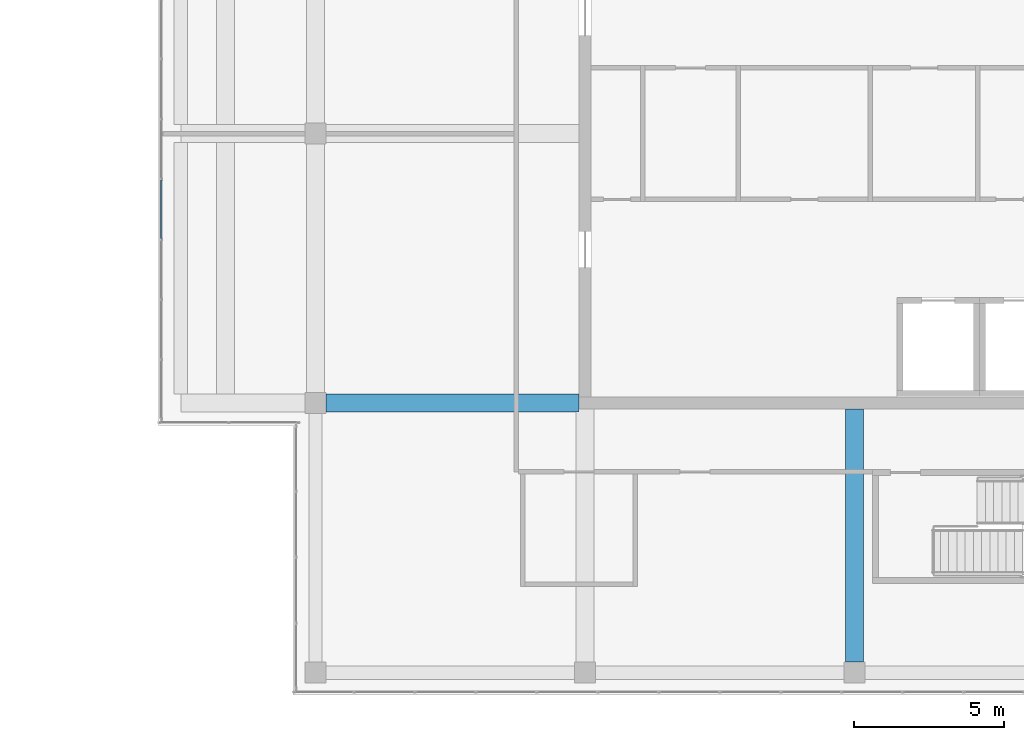
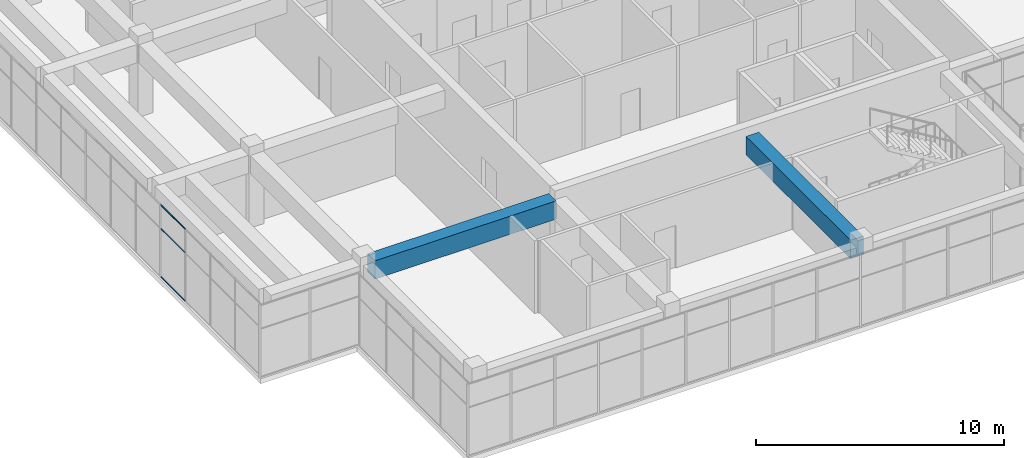
# One storey, part 7 of 32: 3 members, 2 beams, 1 element without a shape of its own.
"""IFC4 building model written with IfcOpenShell, lengths in metres."""

from ifc_helpers import new_model, si_unit, direction, frame, origin, origin_2d, place, context, subcontext, project, spatial, rectangle, hollow_rectangle, extrude, material, layer, layer_set, material_profile, profile_set, type_object, element, aggregate, save


model = new_model("IFC4")

# Units and contexts
model_context = context("Model", 3, precision=1e-05, world=origin(), true_north=direction((0.0, 1.0)))
body_context = subcontext(model_context, "Body", "Model", "MODEL_VIEW")
ifc_project = project(units=[si_unit("LENGTHUNIT", "METRE"), si_unit("AREAUNIT", "SQUARE_METRE"), si_unit("VOLUMEUNIT", "CUBIC_METRE"), si_unit("PLANEANGLEUNIT", "RADIAN"), si_unit("MASSUNIT", "GRAM", prefix="KILO")], contexts=[model_context])

# Site, building, storey
site_placement = place(None, origin())
site = spatial("IfcSite", under=ifc_project, at=site_placement, CompositionType="ELEMENT")
building_placement = place(site_placement, origin())
building = spatial("IfcBuilding", under=site, at=building_placement, Name="Tuart Plaza Theatre", CompositionType="ELEMENT")
storey_placement = place(building_placement, frame((0.0, 0.0, 37.5)))
storey = spatial("IfcBuildingStorey", under=building, at=storey_placement, Name="L09", CompositionType="ELEMENT", Elevation=37.5)

# Beams
ifc_material_1 = material(Name="Concrete N40 (40 MPa)", Category="concrete")
ifc_material_profile_1 = material_profile(ifc_material_1, rectangle(XDim=0.60009765625, YDim=0.89990234375, at=origin_2d()), Name="BEAM 600x900 Concrete N40 (40 MPa)")
ifc_profile_set_1 = profile_set([ifc_material_profile_1], Name="Concrete N40 (40 MPa)")
beam_type = type_object("IfcBeamType", Name="BEAM 600x900 Concrete N40 (40 MPa)", PredefinedType="BEAM", material=ifc_profile_set_1)
for number, where, z_axis, x_axis, name in (
    (1, (114.35009765625, 65.0, 3.1298828125), (1.0, 0.0, 0.0), (0.0, 1.0, 0.0), "RB258"),
    (2, (132.0, 56.35009765625, 3.1298828125), (0.0, 1.0, 0.0), (-1.0, 0.0, 0.0), "RB268"),
):
    element("IfcBeam", number, at=place(storey_placement, frame(where, z_axis=z_axis, x_axis=x_axis)), inside=storey, type_object=beam_type, Name=name, PredefinedType="BEAM", context=body_context, shape_type="SweptSolid", body=[
        extrude(rectangle(XDim=0.60009765625, YDim=0.89990234375, at=origin_2d()), origin(), (0.0, 0.0, 1.0), 8.449951171875),
    ])

# Curtain wall, members
ifc_material_2 = material(Name="Aluminium and glass", Category="aluminium")
ifc_layer = layer(ifc_material_2, 0.10009765625)
ifc_layer_set = layer_set([ifc_layer], Name="CURTAIN WALL 2000 module")
curtain_wall_type = type_object("IfcCurtainWallType", Name="CURTAIN WALL 2000 module", PredefinedType="NOTDEFINED", material=ifc_layer_set)
curtain_wall_placement = place(storey_placement, origin())
curtain_wall = element("IfcCurtainWall", 3, at=curtain_wall_placement, inside=storey, type_object=curtain_wall_type, Name="CW97", PredefinedType="NOTDEFINED")
ifc_material_3 = material(Name="Aluminium 6063-T5", Category="aluminium")
ifc_material_profile_2 = material_profile(ifc_material_3, hollow_rectangle(XDim=0.050048828125, YDim=0.050048828125, WallThickness=0.00390625, InnerFilletRadius=0.00390625, OuterFilletRadius=0.008056640625, at=origin_2d()), Name="RHS 50x50x4")
ifc_profile_set_2 = profile_set([ifc_material_profile_2], Name="Aluminium 6063-T5")
member_type = type_object("IfcMemberType", Name="TRANSOM RHS 50x50x4", PredefinedType="USERDEFINED", material=ifc_profile_set_2)
member_1_placement = place(storey_placement, frame((108.85009765625, 72.45361328125, 0.02490234375), z_axis=(0.0, -1.0, 0.0), x_axis=(1.0, 0.0, 0.0)))
member_1 = element("IfcMember", 4, at=member_1_placement, type_object=member_type, Name="CW97 transom 11.1", ObjectType="TRANSOM", PredefinedType="USERDEFINED", context=body_context, shape_type="SweptSolid", body=[
    extrude(hollow_rectangle(XDim=0.050048828125, YDim=0.050048828125, WallThickness=0.00390625, InnerFilletRadius=0.00390625, OuterFilletRadius=0.008056640625, at=origin_2d()), origin(), (0.0, 0.0, 1.0), 1.957275390625),
])
member_2_placement = place(storey_placement, frame((108.85009765625, 72.45361328125, 2.39990234375), z_axis=(0.0, -1.0, 0.0), x_axis=(1.0, 0.0, 0.0)))
member_2 = element("IfcMember", 5, at=member_2_placement, type_object=member_type, Name="CW97 transom 11.2", ObjectType="TRANSOM", PredefinedType="USERDEFINED", context=body_context, shape_type="SweptSolid", body=[
    extrude(hollow_rectangle(XDim=0.050048828125, YDim=0.050048828125, WallThickness=0.00390625, InnerFilletRadius=0.00390625, OuterFilletRadius=0.008056640625, at=origin_2d()), origin(), (0.0, 0.0, 1.0), 1.957275390625),
])
member_3_placement = place(storey_placement, frame((108.85009765625, 72.45361328125, 3.554931640625), z_axis=(0.0, -1.0, 0.0), x_axis=(1.0, 0.0, 0.0)))
member_3 = element("IfcMember", 6, at=member_3_placement, type_object=member_type, Name="CW97 transom 11.3", ObjectType="TRANSOM", PredefinedType="USERDEFINED", context=body_context, shape_type="SweptSolid", body=[
    extrude(hollow_rectangle(XDim=0.050048828125, YDim=0.050048828125, WallThickness=0.00390625, InnerFilletRadius=0.00390625, OuterFilletRadius=0.008056640625, at=origin_2d()), origin(), (0.0, 0.0, 1.0), 1.957275390625),
])
aggregate(curtain_wall, [member_1, member_2, member_3])

save(model, "model.ifc")
